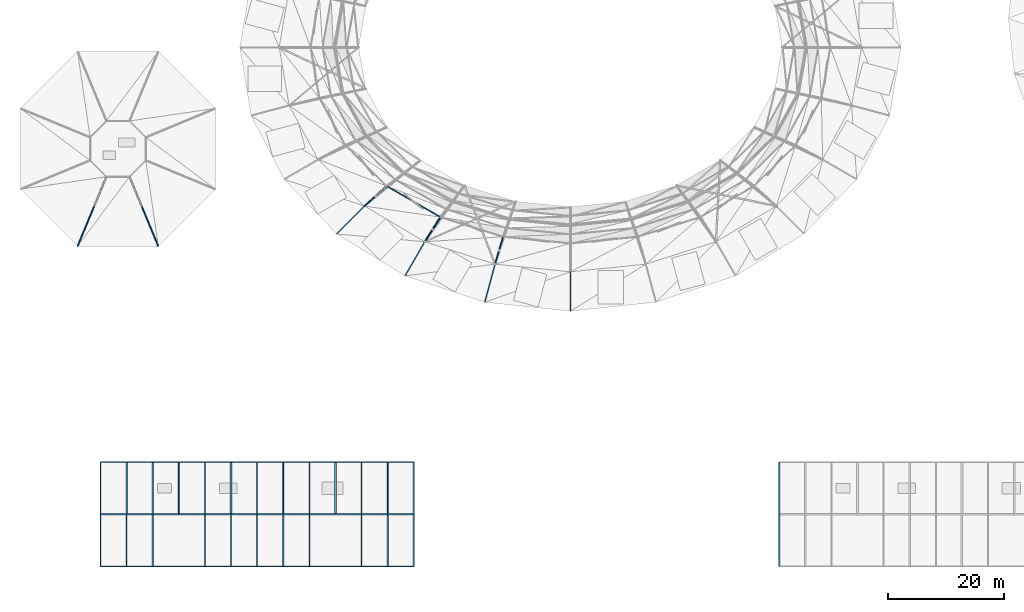
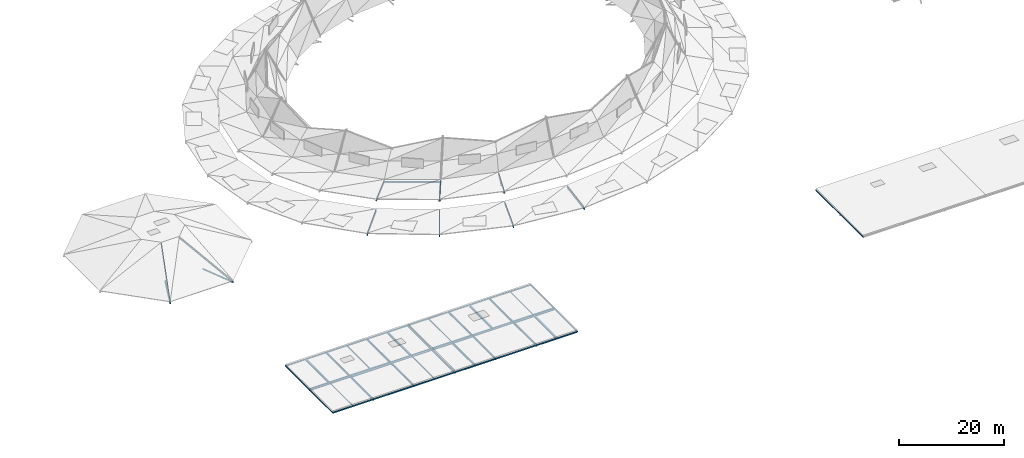
# One storey, part 1 of 36: 50 beams, 8 members.
"""IFC4 building model written with IfcOpenShell, lengths in metres."""

import ifcopenshell
import ifcopenshell.guid

model = None  # the IFC model being written
_history = None  # IfcOwnerHistory: only IFC2X3 demands one
_inside = {}  # id of a spatial element -> (the spatial element, [elements in it])
_under = {}  # id of a project, library or spatial element -> (it, [spatial elements below it])
_declared = {}  # id of a project -> (the project, [libraries it declares])
_typed = {}  # id of a type object -> (the type object, [elements of that type])
_made_of = {}  # id of a material, layer set ... -> (it, [elements and type objects made of it])


def new_model(schema):
    """Start an empty IFC model of exactly this schema.

    Asked for "IFC4X3", IfcOpenShell would pick the latest addendum, in which some entities
    have other attributes; the version numbers below select the first issue.
    IFC2X3 requires an IfcOwnerHistory on every rooted entity: one is made here for all.
    """
    global model, _history
    if schema == "IFC4X3":
        model = ifcopenshell.file(schema_version=(4, 3, 0, 0))
    else:
        model = ifcopenshell.file(schema=schema)
    _inside.clear()
    _under.clear()
    _declared.clear()
    _typed.clear()
    _made_of.clear()
    _history = None
    if model.schema == "IFC2X3":
        org = make("IfcOrganization", Name="unknown")
        user = make(
            "IfcPersonAndOrganization",
            ThePerson=make("IfcPerson", FamilyName="unknown"),
            TheOrganization=org,
        )
        app = make(
            "IfcApplication",
            ApplicationDeveloper=org,
            Version="unknown",
            ApplicationFullName="unknown",
            ApplicationIdentifier="unknown",
        )
        _history = make(
            "IfcOwnerHistory",
            OwningUser=user,
            OwningApplication=app,
            ChangeAction="ADDED",
            CreationDate=0,
        )
    return model


def make(cls, **values):
    """One entity of the class cls with the attributes given. An attribute that is None is left unset."""
    return model.create_entity(
        cls, **{name: value for name, value in values.items() if value is not None}
    )


def rooted(cls, **values):
    """An entity with a GlobalId (a new one), such as an element, a storey or a relation."""
    return make(cls, GlobalId=ifcopenshell.guid.new(), OwnerHistory=_history, **values)


def si_unit(unit_type, name, prefix=None):
    """IfcSIUnit, for example si_unit("LENGTHUNIT", "METRE", prefix="MILLI")."""
    return make("IfcSIUnit", UnitType=unit_type, Prefix=prefix, Name=name)


def assignment(units):
    """IfcUnitAssignment: the units of a project."""
    return None if units is None else make("IfcUnitAssignment", Units=units)


def point(xyz):
    """IfcCartesianPoint."""
    return None if xyz is None else make("IfcCartesianPoint", Coordinates=xyz)


def direction(xyz):
    """IfcDirection."""
    return None if xyz is None else make("IfcDirection", DirectionRatios=xyz)


def frame(location, z_axis=None, x_axis=None):
    """IfcAxis2Placement3D, a coordinate frame: its origin and axes. An axis left out is left unset."""
    return make(
        "IfcAxis2Placement3D",
        Location=point(location),
        Axis=direction(z_axis),
        RefDirection=direction(x_axis),
    )


def frame_2d(location, x_axis=None):
    """IfcAxis2Placement2D, a coordinate frame in the plane: its origin and x axis."""
    return make(
        "IfcAxis2Placement2D", Location=point(location), RefDirection=direction(x_axis)
    )


def origin():
    """The frame at (0, 0, 0) with its axes left unset."""
    return frame((0.0, 0.0, 0.0))


def origin_2d():
    """The frame at (0, 0) in the plane with its x axis left unset."""
    return frame_2d((0.0, 0.0))


def place(relative_to, where):
    """IfcLocalPlacement: puts the frame where relative to a parent placement (None: the world)."""
    return make(
        "IfcLocalPlacement", PlacementRelTo=relative_to, RelativePlacement=where
    )


def context(
    kind, dimensions, precision=None, world=None, true_north=None, identifier=None
):
    """IfcGeometricRepresentationContext, for example the 3D "Model" context."""
    return make(
        "IfcGeometricRepresentationContext",
        ContextIdentifier=identifier,
        ContextType=kind,
        CoordinateSpaceDimension=dimensions,
        Precision=precision,
        WorldCoordinateSystem=world,
        TrueNorth=true_north,
    )


def subcontext(parent, identifier, kind, view, scale=None):
    """IfcGeometricRepresentationSubContext, for example "Body" below "Model"."""
    return make(
        "IfcGeometricRepresentationSubContext",
        ContextIdentifier=identifier,
        ContextType=kind,
        ParentContext=parent,
        TargetScale=scale,
        TargetView=view,
    )


def project(units=None, contexts=None):
    """IfcProject with its units and contexts."""
    return rooted(
        "IfcProject",
        Name="project",
        RepresentationContexts=contexts,
        UnitsInContext=assignment(units),
    )


def spatial(cls, under=None, at=None, **own):
    """A site, building, storey or space (cls), placed at a placement, below another one or the project."""
    s = rooted(cls, ObjectPlacement=at, **own)
    if under is not None:
        _under.setdefault(under.id(), (under, []))[1].append(s)
    return s


def profile(cls, at=None, kind="AREA", **sizes):
    """A parametric profile (cls). Its sizes go by their IFC names, for example OverallWidth=200.0."""
    return make(cls, ProfileType=kind, Position=at, **sizes)


def hollow_rectangle(**sizes):
    """IfcRectangleHollowProfileDef."""
    return profile("IfcRectangleHollowProfileDef", **sizes)


def hollow_circle(**sizes):
    """IfcCircleHollowProfileDef."""
    return profile("IfcCircleHollowProfileDef", **sizes)


def i_section(**sizes):
    """IfcIShapeProfileDef."""
    return profile("IfcIShapeProfileDef", **sizes)


def extrude(swept, where, along, depth):
    """IfcExtrudedAreaSolid: the profile swept, set in the frame where, extruded along a direction by depth."""
    return make(
        "IfcExtrudedAreaSolid",
        SweptArea=swept,
        Position=where,
        ExtrudedDirection=direction(along),
        Depth=depth,
    )


def shape(context_of_items, identifier, shape_type, items):
    """IfcShapeRepresentation: the items that make up one representation, for example the "Body"."""
    return make(
        "IfcShapeRepresentation",
        ContextOfItems=context_of_items,
        RepresentationIdentifier=identifier,
        RepresentationType=shape_type,
        Items=items,
    )


def material(Name=None, Category=None):
    """IfcMaterial."""
    return make("IfcMaterial", Name=Name, Category=Category)


def material_profile(
    of_material, cross_section, Name=None, Category=None, Priority=None
):
    """IfcMaterialProfile: a cross section and its material."""
    return make(
        "IfcMaterialProfile",
        Name=Name,
        Material=of_material,
        Profile=cross_section,
        Priority=Priority,
        Category=Category,
    )


def profile_set(profiles, Name=None, composite=None):
    """IfcMaterialProfileSet."""
    return make(
        "IfcMaterialProfileSet",
        Name=Name,
        MaterialProfiles=profiles,
        CompositeProfile=composite,
    )


def made_of(thing, what):
    """Note that an element or type object is made of a material, layer set ...; save() writes the relation."""
    if what is not None:
        _made_of.setdefault(what.id(), (what, []))[1].append(thing)
    return thing


def type_object(cls, material=None, **own):
    """A type object (cls), such as IfcWallType, which elements share."""
    return made_of(rooted(cls, **own), material)


def element(
    cls,
    number,
    at=None,
    inside=None,
    cuts=None,
    type_object=None,
    material=None,
    context=None,
    identifier="Body",
    shape_type=None,
    held_by="IfcProductDefinitionShape",
    body=None,
    shapes=None,
    **own,
):
    """One element of the class cls, such as IfcWall. Its Tag is "e" and its number.

    at: its placement. inside: the storey or other place that contains it. cuts: it is an
    opening in that element (IfcRelVoidsElement). A single representation is given by context,
    identifier, shape_type and body (its items); several are given by shapes. held_by: the class
    of the entity that holds the representations. save() writes the other relations.
    """
    e = rooted(cls, Tag="e%d" % number, ObjectPlacement=at, **own)
    if body is not None:
        shapes = [shape(context, identifier, shape_type, body)]
    if shapes is not None:
        e.Representation = make(held_by, Representations=shapes)
    if inside is not None:
        _inside.setdefault(inside.id(), (inside, []))[1].append(e)
    if cuts is not None:
        rooted(
            "IfcRelVoidsElement", RelatingBuildingElement=cuts, RelatedOpeningElement=e
        )
    if type_object is not None:
        _typed.setdefault(type_object.id(), (type_object, []))[1].append(e)
    return made_of(e, material)


def aggregate(whole, parts):
    """IfcRelAggregates: a whole, such as a stair, and the parts it consists of."""
    return rooted("IfcRelAggregates", RelatingObject=whole, RelatedObjects=parts)


def save(model, path):
    """Write the relations noted so far, then the file.

    IfcRelAggregates (storeys below a building ...), IfcRelContainedInSpatialStructure (elements
    in a storey), IfcRelDefinesByType, IfcRelAssociatesMaterial and IfcRelDeclares: one each for
    every whole, place, type object, material and project.
    """
    for whole, parts in _under.values():
        aggregate(whole, parts)
    for where, things in _inside.values():
        rooted(
            "IfcRelContainedInSpatialStructure",
            RelatedElements=things,
            RelatingStructure=where,
        )
    for kind, things in _typed.values():
        rooted("IfcRelDefinesByType", RelatedObjects=things, RelatingType=kind)
    for what, things in _made_of.values():
        rooted("IfcRelAssociatesMaterial", RelatedObjects=things, RelatingMaterial=what)
    for by, libraries in _declared.values():
        rooted("IfcRelDeclares", RelatingContext=by, RelatedDefinitions=libraries)
    model.write(path)


model = new_model("IFC4")

# Units and contexts
model_context = context("Model", 3, precision=1e-05, world=origin(), true_north=direction((0.0, 1.0)))
body_context = subcontext(model_context, "Body", "Model", "MODEL_VIEW")
ifc_project = project(units=[si_unit("LENGTHUNIT", "METRE"), si_unit("AREAUNIT", "SQUARE_METRE"), si_unit("VOLUMEUNIT", "CUBIC_METRE"), si_unit("PLANEANGLEUNIT", "RADIAN"), si_unit("MASSUNIT", "GRAM", prefix="KILO")], contexts=[model_context])

# Site, building, storey
site_placement = place(None, origin())
site = spatial("IfcSite", under=ifc_project, at=site_placement, CompositionType="ELEMENT")
building_placement = place(site_placement, origin())
building = spatial("IfcBuilding", under=site, at=building_placement, Name="Kildeholm Park Wholesale Market", CompositionType="ELEMENT")
storey_placement = place(building_placement, frame((0.0, 0.0, 17.39990234375)))
storey = spatial("IfcBuildingStorey", under=building, at=storey_placement, Name="Roof", CompositionType="ELEMENT", Elevation=17.39990234375)

# Beams
ifc_material = material(Name="Steel S355", Category="steel")
ifc_material_profile_1 = material_profile(ifc_material, i_section(OverallWidth=0.14990234375, OverallDepth=0.300048828125, WebThickness=0.007080078125, FlangeThickness=0.0107421875, FilletRadius=0.014892578125, at=origin_2d()), Name="IPE 300")
ifc_profile_set_1 = profile_set([ifc_material_profile_1], Name="Steel S355")
beam_type_1 = type_object("IfcBeamType", Name="Beam B-C01 IPE 300", PredefinedType="BEAM", material=ifc_profile_set_1)
for number, where, z_axis, x_axis, name in (
    (1, (14.034912109375, 55.18505859375, -6.9599609375), (0.382693665462, 0.923875293758, 0.0), (-0.923875293758, 0.382693665462, 0.0), "Beam BM-V3-TIE-05 BM-0509"),
    (2, (27.965087890625, 55.18505859375, -6.9599609375), (-0.382693665462, 0.923875293758, 0.0), (-0.923875293758, -0.382693665462, 0.0), "Beam BM-V3-TIE-06 BM-0513"),
):
    element("IfcBeam", number, at=place(storey_placement, frame(where, z_axis=z_axis, x_axis=x_axis)), inside=storey, type_object=beam_type_1, Name=name, PredefinedType="BEAM", context=body_context, shape_type="SweptSolid", body=[
        extrude(i_section(OverallWidth=0.14990234375, OverallDepth=0.300048828125, WebThickness=0.007080078125, FlangeThickness=0.0107421875, FilletRadius=0.014892578125, at=origin_2d()), origin(), (0.0, 0.0, 1.0), 7.400146484375),
    ])
ifc_material_profile_2 = material_profile(ifc_material, i_section(OverallWidth=0.179931640625, OverallDepth=0.39990234375, WebThickness=0.008544921875, FlangeThickness=0.013427734375, FilletRadius=0.02099609375, at=origin_2d()), Name="IPE 400")
ifc_profile_set_2 = profile_set([ifc_material_profile_2], Name="Steel S355")
beam_type_2 = type_object("IfcBeamType", Name="Beam B-P01 IPE 400", PredefinedType="BEAM", material=ifc_profile_set_2)
beam_1_placement = place(storey_placement, frame((58.695068359375, 57.326904296875, -8.026611328125), z_axis=(0.697189304401, 0.6972247073, 0.166747657733), x_axis=(-0.707124733755, 0.707088828163, 0.0)))
element("IfcBeam", 3, at=beam_1_placement, inside=storey, type_object=beam_type_2, Name="Beam BM-V1-RF-S1-15 BM-0309", PredefinedType="BEAM", context=body_context, shape_type="SweptSolid", body=[
    extrude(i_section(OverallWidth=0.179931640625, OverallDepth=0.39990234375, WebThickness=0.008544921875, FlangeThickness=0.013427734375, FilletRadius=0.02099609375, at=origin_2d()), origin(), (0.0, 0.0, 1.0), 6.89599609375),
])
beam_2_placement = place(storey_placement, frame((70.5, 50.095947265625, -8.025390625), z_axis=(0.492978620712, 0.853915717996, 0.166733398216), x_axis=(-0.866038511948, 0.499977295307, 0.0)))
element("IfcBeam", 4, at=beam_2_placement, inside=storey, type_object=beam_type_2, Name="Beam BM-V1-RF-S1-16 BM-0315", PredefinedType="BEAM", context=body_context, shape_type="SweptSolid", body=[
    extrude(i_section(OverallWidth=0.179931640625, OverallDepth=0.39990234375, WebThickness=0.008544921875, FlangeThickness=0.013427734375, FilletRadius=0.02099609375, at=origin_2d()), origin(), (0.0, 0.0, 1.0), 6.896728515625),
])
beam_3_placement = place(storey_placement, frame((84.2470703125, 45.550048828125, -8.024658203125), z_axis=(0.255181985009, 0.952410388217, 0.166723144596), x_axis=(-0.965929783914, 0.258804274594, 0.0)))
element("IfcBeam", 5, at=beam_3_placement, inside=storey, type_object=beam_type_2, Name="Beam BM-V1-RF-S1-17 BM-0321", PredefinedType="BEAM", context=body_context, shape_type="SweptSolid", body=[
    extrude(i_section(OverallWidth=0.179931640625, OverallDepth=0.39990234375, WebThickness=0.008544921875, FlangeThickness=0.013427734375, FilletRadius=0.02099609375, at=origin_2d()), origin(), (0.0, 0.0, 1.0), 6.89697265625),
])
beam_4_placement = place(storey_placement, frame((99.0, 44.0, -8.0244140625), z_axis=(0.0, 0.98599593418, 0.16676935504), x_axis=(-1.0, 0.0, 0.0)))
element("IfcBeam", 6, at=beam_4_placement, inside=storey, type_object=beam_type_2, Name="Beam BM-V1-RF-S1-18 BM-0327", PredefinedType="BEAM", context=body_context, shape_type="SweptSolid", body=[
    extrude(i_section(OverallWidth=0.179931640625, OverallDepth=0.39990234375, WebThickness=0.008544921875, FlangeThickness=0.013427734375, FilletRadius=0.02099609375, at=origin_2d()), origin(), (0.0, 0.0, 1.0), 6.896728515625),
])
ifc_material_profile_3 = material_profile(ifc_material, i_section(OverallWidth=0.18994140625, OverallDepth=0.449951171875, WebThickness=0.009521484375, FlangeThickness=0.0146484375, FilletRadius=0.02099609375, at=origin_2d()), Name="IPE 450")
ifc_profile_set_3 = profile_set([ifc_material_profile_3], Name="Steel S355")
beam_type_3 = type_object("IfcBeamType", Name="Beam B-P02 IPE 450", PredefinedType="BEAM", material=ifc_profile_set_3)
for number, where, z_axis, x_axis, name in (
    (7, (27.0, 0.0, -0.5048828125), (0.0, 1.0, 0.0), (-1.0, 0.0, 0.0), "Beam BM-V5W-Roof-Y-027-000 BM-1488"),
    (8, (27.0, 9.0, -0.5048828125), (0.0, 1.0, 0.0), (-1.0, 0.0, 0.0), "Beam BM-V5W-Roof-Y-027-009 BM-1490"),
    (9, (36.0, 0.0, -0.5048828125), (0.0, 1.0, 0.0), (-1.0, 0.0, 0.0), "Beam BM-V5W-Roof-Y-036-000 BM-1494"),
    (10, (36.0, 9.0, -0.5048828125), (0.0, 1.0, 0.0), (-1.0, 0.0, 0.0), "Beam BM-V5W-Roof-Y-036-009 BM-1497"),
    (11, (45.0, 0.0, -0.5048828125), (0.0, 1.0, 0.0), (-1.0, 0.0, 0.0), "Beam BM-V5W-Roof-Y-045-000 BM-1501"),
    (12, (45.0, 9.0, -0.5048828125), (0.0, 1.0, 0.0), (-1.0, 0.0, 0.0), "Beam BM-V5W-Roof-Y-045-009 BM-1504"),
    (13, (54.0, 0.0, -0.5048828125), (0.0, 1.0, 0.0), (-1.0, 0.0, 0.0), "Beam BM-V5W-Roof-Y-054-000 BM-1508"),
    (14, (54.0, 9.0, -0.5048828125), (0.0, 1.0, 0.0), (-1.0, 0.0, 0.0), "Beam BM-V5W-Roof-Y-054-009 BM-1510"),
    (15, (63.0, 0.0, -0.5048828125), (0.0, 1.0, 0.0), (-1.0, 0.0, 0.0), "Beam BM-V5W-Roof-Y-063-000 BM-1514"),
    (16, (63.0, 9.0, -0.5048828125), (0.0, 1.0, 0.0), (-1.0, 0.0, 0.0), "Beam BM-V5W-Roof-Y-063-009 BM-1517"),
):
    element("IfcBeam", number, at=place(storey_placement, frame(where, z_axis=z_axis, x_axis=x_axis)), inside=storey, type_object=beam_type_3, Name=name, PredefinedType="BEAM", context=body_context, shape_type="SweptSolid", body=[
        extrude(i_section(OverallWidth=0.18994140625, OverallDepth=0.449951171875, WebThickness=0.009521484375, FlangeThickness=0.0146484375, FilletRadius=0.02099609375, at=origin_2d()), origin(), (0.0, 0.0, 1.0), 9.0),
    ])
ifc_material_profile_4 = material_profile(ifc_material, i_section(OverallWidth=0.199951171875, OverallDepth=0.5, WebThickness=0.01025390625, FlangeThickness=0.01611328125, FilletRadius=0.02099609375, at=origin_2d()), Name="IPE 500")
ifc_profile_set_4 = profile_set([ifc_material_profile_4], Name="Steel S355")
beam_type_4 = type_object("IfcBeamType", Name="Beam B-P03 IPE 500", PredefinedType="BEAM", material=ifc_profile_set_4)
beam_5_placement = place(storey_placement, frame((54.0, 9.0, -0.52978515625), z_axis=(1.0, 0.0, 0.0), x_axis=(0.0, 1.0, 0.0)))
element("IfcBeam", 17, at=beam_5_placement, inside=storey, type_object=beam_type_4, Name="Beam BM-V5W-Roof-X-054-009 BM-1509", PredefinedType="BEAM", context=body_context, shape_type="SweptSolid", body=[
    extrude(i_section(OverallWidth=0.199951171875, OverallDepth=0.5, WebThickness=0.01025390625, FlangeThickness=0.01611328125, FilletRadius=0.02099609375, at=origin_2d()), origin(), (0.0, 0.0, 1.0), 9.0),
])
ifc_material_profile_5 = material_profile(ifc_material, i_section(OverallWidth=0.2099609375, OverallDepth=0.550048828125, WebThickness=0.010986328125, FlangeThickness=0.01708984375, FilletRadius=0.02392578125, at=origin_2d()), Name="IPE 550")
ifc_profile_set_5 = profile_set([ifc_material_profile_5], Name="Steel S355")
beam_type_5 = type_object("IfcBeamType", Name="Beam B-X01 IPE 550", PredefinedType="BEAM", material=ifc_profile_set_5)
beam_6_placement = place(storey_placement, frame((36.0, 9.0, -0.554931640625), z_axis=(1.0, 0.0, 0.0), x_axis=(0.0, 1.0, 0.0)))
element("IfcBeam", 18, at=beam_6_placement, inside=storey, type_object=beam_type_5, Name="Beam BM-V5W-Roof-X-036-009 BM-1496", PredefinedType="BEAM", context=body_context, shape_type="SweptSolid", body=[
    extrude(i_section(OverallWidth=0.2099609375, OverallDepth=0.550048828125, WebThickness=0.010986328125, FlangeThickness=0.01708984375, FilletRadius=0.02392578125, at=origin_2d()), origin(), (0.0, 0.0, 1.0), 9.0),
])
ifc_material_profile_6 = material_profile(ifc_material, i_section(OverallWidth=0.300048828125, OverallDepth=0.5400390625, WebThickness=0.012451171875, FlangeThickness=0.02392578125, FilletRadius=0.027099609375, at=origin_2d()), Name="HEA 550")
ifc_profile_set_6 = profile_set([ifc_material_profile_6], Name="Steel S355")
beam_type_6 = type_object("IfcBeamType", Name="Beam B-X02 HEA 550", PredefinedType="BEAM", material=ifc_profile_set_6)
beam_7_placement = place(storey_placement, frame((45.0, 9.0, -0.5498046875), z_axis=(1.0, 0.0, 0.0), x_axis=(0.0, 1.0, 0.0)))
element("IfcBeam", 19, at=beam_7_placement, inside=storey, type_object=beam_type_6, Name="Beam BM-V5W-Roof-X-045-009 BM-1503", PredefinedType="BEAM", context=body_context, shape_type="SweptSolid", body=[
    extrude(i_section(OverallWidth=0.300048828125, OverallDepth=0.5400390625, WebThickness=0.012451171875, FlangeThickness=0.02392578125, FilletRadius=0.027099609375, at=origin_2d()), origin(), (0.0, 0.0, 1.0), 9.0),
])
ifc_material_profile_7 = material_profile(ifc_material, i_section(OverallWidth=0.300048828125, OverallDepth=0.550048828125, WebThickness=0.014892578125, FlangeThickness=0.029052734375, FilletRadius=0.027099609375, at=origin_2d()), Name="HEB 550")
ifc_profile_set_7 = profile_set([ifc_material_profile_7], Name="Steel S355")
beam_type_7 = type_object("IfcBeamType", Name="Beam B-X03 HEB 550", PredefinedType="BEAM", material=ifc_profile_set_7)
beam_8_placement = place(storey_placement, frame((63.0, 9.0, -0.554931640625), z_axis=(1.0, 0.0, 0.0), x_axis=(0.0, 1.0, 0.0)))
element("IfcBeam", 20, at=beam_8_placement, inside=storey, type_object=beam_type_7, Name="Beam BM-V5W-Roof-X-063-009 BM-1516", PredefinedType="BEAM", context=body_context, shape_type="SweptSolid", body=[
    extrude(i_section(OverallWidth=0.300048828125, OverallDepth=0.550048828125, WebThickness=0.014892578125, FlangeThickness=0.029052734375, FilletRadius=0.027099609375, at=origin_2d()), origin(), (0.0, 0.0, 1.0), 9.0),
])
ifc_material_profile_8 = material_profile(ifc_material, i_section(OverallWidth=0.300048828125, OverallDepth=0.5, WebThickness=0.014404296875, FlangeThickness=0.028076171875, FilletRadius=0.027099609375, at=origin_2d()), Name="HEB 500")
ifc_profile_set_8 = profile_set([ifc_material_profile_8], Name="Steel S355")
beam_type_8 = type_object("IfcBeamType", Name="Beam B-X05 HEB 500", PredefinedType="BEAM", material=ifc_profile_set_8)
beam_9_placement = place(storey_placement, frame((18.0, 9.0, -0.52978515625), z_axis=(1.0, 0.0, 0.0), x_axis=(0.0, 1.0, 0.0)))
element("IfcBeam", 21, at=beam_9_placement, inside=storey, type_object=beam_type_8, Name="Beam BM-V5W-Roof-X-018-009 BM-1483", PredefinedType="BEAM", context=body_context, shape_type="SweptSolid", body=[
    extrude(i_section(OverallWidth=0.300048828125, OverallDepth=0.5, WebThickness=0.014404296875, FlangeThickness=0.028076171875, FilletRadius=0.027099609375, at=origin_2d()), origin(), (0.0, 0.0, 1.0), 9.0),
])
ifc_material_profile_9 = material_profile(ifc_material, i_section(OverallWidth=0.300048828125, OverallDepth=0.60009765625, WebThickness=0.015380859375, FlangeThickness=0.030029296875, FilletRadius=0.027099609375, at=origin_2d()), Name="HEB 600")
ifc_profile_set_9 = profile_set([ifc_material_profile_9], Name="Steel S355")
beam_type_9 = type_object("IfcBeamType", Name="Beam B-X06 HEB 600", PredefinedType="BEAM", material=ifc_profile_set_9)
beam_10_placement = place(storey_placement, frame((27.0, 9.0, -0.579833984375), z_axis=(1.0, 0.0, 0.0), x_axis=(0.0, 1.0, 0.0)))
element("IfcBeam", 22, at=beam_10_placement, inside=storey, type_object=beam_type_9, Name="Beam BM-V5W-Roof-X-027-009 BM-1489", PredefinedType="BEAM", context=body_context, shape_type="SweptSolid", body=[
    extrude(i_section(OverallWidth=0.300048828125, OverallDepth=0.60009765625, WebThickness=0.015380859375, FlangeThickness=0.030029296875, FilletRadius=0.027099609375, at=origin_2d()), origin(), (0.0, 0.0, 1.0), 9.0),
])
ifc_material_profile_10 = material_profile(ifc_material, i_section(OverallWidth=0.1201171875, OverallDepth=0.239990234375, WebThickness=0.006103515625, FlangeThickness=0.009765625, FilletRadius=0.014892578125, at=origin_2d()), Name="IPE 240")
ifc_profile_set_10 = profile_set([ifc_material_profile_10], Name="Steel S355")
beam_type_10 = type_object("IfcBeamType", Name="Beam J-01 IPE 240", PredefinedType="JOIST", material=ifc_profile_set_10)
for number, where, z_axis, x_axis, name in (
    (23, (22.5, 0.0849609375, -0.39990234375), (0.0, 1.0, 0.0), (-1.0, 0.0, 0.0), "Beam JT-V5W-Roof-018-000 BM-1482"),
    (24, (31.5, 9.0849609375, -0.39990234375), (0.0, 1.0, 0.0), (-1.0, 0.0, 0.0), "Beam JT-V5W-Roof-027-009 BM-1491"),
    (25, (40.5, 0.0849609375, -0.39990234375), (0.0, 1.0, 0.0), (-1.0, 0.0, 0.0), "Beam JT-V5W-Roof-036-000 BM-1495"),
    (26, (49.5, 9.0849609375, -0.39990234375), (0.0, 1.0, 0.0), (-1.0, 0.0, 0.0), "Beam JT-V5W-Roof-045-009 BM-1505"),
    (27, (67.5, 9.0849609375, -0.39990234375), (0.0, 1.0, 0.0), (-1.0, 0.0, 0.0), "Beam JT-V5W-Roof-063-009 BM-1518"),
):
    element("IfcBeam", number, at=place(storey_placement, frame(where, z_axis=z_axis, x_axis=x_axis)), inside=storey, type_object=beam_type_10, Name=name, PredefinedType="JOIST", context=body_context, shape_type="SweptSolid", body=[
        extrude(i_section(OverallWidth=0.1201171875, OverallDepth=0.239990234375, WebThickness=0.006103515625, FlangeThickness=0.009765625, FilletRadius=0.014892578125, at=origin_2d()), origin(), (0.0, 0.0, 1.0), 8.830078125),
    ])
ifc_material_profile_11 = material_profile(ifc_material, i_section(OverallWidth=0.300048828125, OverallDepth=0.389892578125, WebThickness=0.010986328125, FlangeThickness=0.01904296875, FilletRadius=0.027099609375, at=origin_2d()), Name="HEA 400")
ifc_profile_set_11 = profile_set([ifc_material_profile_11], Name="Steel S355")
beam_type_11 = type_object("IfcBeamType", Name="Beam J-06 HEA 400", PredefinedType="JOIST", material=ifc_profile_set_11)
for number, where, z_axis, x_axis, name in (
    (28, (22.5, 9.0849609375, -0.474853515625), (0.0, 1.0, 0.0), (-1.0, 0.0, 0.0), "Beam JT-V5W-Roof-018-009 BM-1485"),
    (29, (40.5, 9.0849609375, -0.474853515625), (0.0, 1.0, 0.0), (-1.0, 0.0, 0.0), "Beam JT-V5W-Roof-036-009 BM-1498"),
    (30, (49.5, 0.0849609375, -0.474853515625), (0.0, 1.0, 0.0), (-1.0, 0.0, 0.0), "Beam JT-V5W-Roof-045-000 BM-1502"),
    (31, (58.5, 9.0849609375, -0.474853515625), (0.0, 1.0, 0.0), (-1.0, 0.0, 0.0), "Beam JT-V5W-Roof-054-009 BM-1511"),
    (32, (67.5, 0.0849609375, -0.474853515625), (0.0, 1.0, 0.0), (-1.0, 0.0, 0.0), "Beam JT-V5W-Roof-063-000 BM-1515"),
):
    element("IfcBeam", number, at=place(storey_placement, frame(where, z_axis=z_axis, x_axis=x_axis)), inside=storey, type_object=beam_type_11, Name=name, PredefinedType="JOIST", context=body_context, shape_type="SweptSolid", body=[
        extrude(i_section(OverallWidth=0.300048828125, OverallDepth=0.389892578125, WebThickness=0.010986328125, FlangeThickness=0.01904296875, FilletRadius=0.027099609375, at=origin_2d()), origin(), (0.0, 0.0, 1.0), 8.830078125),
    ])
ifc_material_profile_12 = material_profile(ifc_material, hollow_rectangle(XDim=0.199951171875, YDim=0.300048828125, WallThickness=0.012451171875, InnerFilletRadius=0.012451171875, OuterFilletRadius=0.02490234375, at=origin_2d()), Name="RHS 300x200x12.5")
ifc_profile_set_12 = profile_set([ifc_material_profile_12], Name="Steel S355")
beam_type_12 = type_object("IfcBeamType", Name="Beam SP-01 RHS 300x200x12.5", PredefinedType="SPANDREL", material=ifc_profile_set_12)
for number, where, z_axis, x_axis, name in (
    (33, (18.0, 0.0, -0.429931640625), (1.0, 0.0, 0.0), (0.0, 1.0, 0.0), "Beam BM-V5W-Roof-X-018-000 BM-1480"),
    (34, (18.0, 18.0, -0.429931640625), (1.0, 0.0, 0.0), (0.0, 1.0, 0.0), "Beam BM-V5W-Roof-X-018-018 BM-1486"),
    (35, (27.0, 0.0, -0.429931640625), (1.0, 0.0, 0.0), (0.0, 1.0, 0.0), "Beam BM-V5W-Roof-X-027-000 BM-1487"),
    (36, (27.0, 18.0, -0.429931640625), (1.0, 0.0, 0.0), (0.0, 1.0, 0.0), "Beam BM-V5W-Roof-X-027-018 BM-1492"),
    (37, (36.0, 0.0, -0.429931640625), (1.0, 0.0, 0.0), (0.0, 1.0, 0.0), "Beam BM-V5W-Roof-X-036-000 BM-1493"),
    (38, (36.0, 18.0, -0.429931640625), (1.0, 0.0, 0.0), (0.0, 1.0, 0.0), "Beam BM-V5W-Roof-X-036-018 BM-1499"),
    (39, (45.0, 0.0, -0.429931640625), (1.0, 0.0, 0.0), (0.0, 1.0, 0.0), "Beam BM-V5W-Roof-X-045-000 BM-1500"),
    (40, (45.0, 18.0, -0.429931640625), (1.0, 0.0, 0.0), (0.0, 1.0, 0.0), "Beam BM-V5W-Roof-X-045-018 BM-1506"),
    (41, (54.0, 0.0, -0.429931640625), (1.0, 0.0, 0.0), (0.0, 1.0, 0.0), "Beam BM-V5W-Roof-X-054-000 BM-1507"),
    (42, (54.0, 18.0, -0.429931640625), (1.0, 0.0, 0.0), (0.0, 1.0, 0.0), "Beam BM-V5W-Roof-X-054-018 BM-1512"),
    (43, (63.0, 0.0, -0.429931640625), (1.0, 0.0, 0.0), (0.0, 1.0, 0.0), "Beam BM-V5W-Roof-X-063-000 BM-1513"),
    (44, (63.0, 18.0, -0.429931640625), (1.0, 0.0, 0.0), (0.0, 1.0, 0.0), "Beam BM-V5W-Roof-X-063-018 BM-1519"),
):
    element("IfcBeam", number, at=place(storey_placement, frame(where, z_axis=z_axis, x_axis=x_axis)), inside=storey, type_object=beam_type_12, Name=name, PredefinedType="SPANDREL", context=body_context, shape_type="SweptSolid", body=[
        extrude(hollow_rectangle(XDim=0.199951171875, YDim=0.300048828125, WallThickness=0.012451171875, InnerFilletRadius=0.012451171875, OuterFilletRadius=0.02490234375, at=origin_2d()), origin(), (0.0, 0.0, 1.0), 9.0),
    ])
ifc_material_profile_13 = material_profile(ifc_material, hollow_rectangle(XDim=0.14990234375, YDim=0.25, WallThickness=0.010009765625, InnerFilletRadius=0.010009765625, OuterFilletRadius=0.02001953125, at=origin_2d()), Name="RHS 250x150x10")
ifc_profile_set_13 = profile_set([ifc_material_profile_13], Name="Steel S355")
beam_type_13 = type_object("IfcBeamType", Name="Beam SP-02 RHS 250x150x10", PredefinedType="SPANDREL", material=ifc_profile_set_13)
for number, where, z_axis, x_axis, name in (
    (45, (18.0, 0.0, -0.40478515625), (0.0, 1.0, 0.0), (-1.0, 0.0, 0.0), "Beam BM-V5W-Roof-Y-018-000 BM-1481"),
    (46, (18.0, 9.0, -0.40478515625), (0.0, 1.0, 0.0), (-1.0, 0.0, 0.0), "Beam BM-V5W-Roof-Y-018-009 BM-1484"),
    (47, (72.0, 0.0, -0.40478515625), (0.0, 1.0, 0.0), (-1.0, 0.0, 0.0), "Beam BM-V5W-Roof-Y-072-000 BM-1520"),
    (48, (72.0, 9.0, -0.40478515625), (0.0, 1.0, 0.0), (-1.0, 0.0, 0.0), "Beam BM-V5W-Roof-Y-072-009 BM-1521"),
    (49, (135.0, 0.0, -0.40478515625), (0.0, 1.0, 0.0), (-1.0, 0.0, 0.0), "Beam BM-V5E-Roof-Y-135-000 BM-1738"),
    (50, (135.0, 9.0, -0.40478515625), (0.0, 1.0, 0.0), (-1.0, 0.0, 0.0), "Beam BM-V5E-Roof-Y-135-009 BM-1741"),
):
    element("IfcBeam", number, at=place(storey_placement, frame(where, z_axis=z_axis, x_axis=x_axis)), inside=storey, type_object=beam_type_13, Name=name, PredefinedType="SPANDREL", context=body_context, shape_type="SweptSolid", body=[
        extrude(hollow_rectangle(XDim=0.14990234375, YDim=0.25, WallThickness=0.010009765625, InnerFilletRadius=0.010009765625, OuterFilletRadius=0.02001953125, at=origin_2d()), origin(), (0.0, 0.0, 1.0), 9.0),
    ])

# Members
ifc_material_profile_14 = material_profile(ifc_material, i_section(OverallWidth=0.1201171875, OverallDepth=0.239990234375, WebThickness=0.006103515625, FlangeThickness=0.009765625, FilletRadius=0.014892578125, at=origin_2d()), Name="IPE 240")
ifc_profile_set_14 = profile_set([ifc_material_profile_14], Name="Steel S355")
member_type_1 = type_object("IfcMemberType", Name="Member PR-02 IPE 240", PredefinedType="PURLIN", material=ifc_profile_set_14)
member_1_placement = place(storey_placement, frame((67.322021484375, 65.60009765625, -3.631591796875), z_axis=(0.865403937833, -0.501074869039, 0.0), x_axis=(0.501074869039, 0.865403937833, 0.0)))
element("IfcMember", 51, at=member_1_placement, inside=storey, type_object=member_type_1, Name="Member PR-V1-STP2-15 MEM-0201", PredefinedType="PURLIN", context=body_context, shape_type="SweptSolid", body=[
    extrude(i_section(OverallWidth=0.1201171875, OverallDepth=0.239990234375, WebThickness=0.006103515625, FlangeThickness=0.009765625, FilletRadius=0.014892578125, at=origin_2d()), origin(), (0.0, 0.0, 1.0), 10.72119140625),
])
ifc_material_profile_15 = material_profile(ifc_material, hollow_circle(Radius=0.084228515625, WallThickness=0.010009765625, at=origin_2d()), Name="CHS 168.3x10")
ifc_profile_set_15 = profile_set([ifc_material_profile_15], Name="Steel S355")
member_type_2 = type_object("IfcMemberType", Name="Member TB-01 CHS 168.3x10", PredefinedType="BRACE", material=ifc_profile_set_15)
member_2_placement = place(storey_placement, frame((75.25, 58.10595703125, -4.6298828125), z_axis=(0.481456033698, 0.756747892387, 0.442190812866), x_axis=(-0.843717440155, 0.53678755684, 0.0)))
element("IfcMember", 52, at=member_2_placement, inside=storey, type_object=member_type_2, Name="Member TR-V1-16-WB1 MEM-0210", PredefinedType="BRACE", context=body_context, shape_type="SweptSolid", body=[
    extrude(hollow_circle(Radius=0.084228515625, WallThickness=0.010009765625, at=origin_2d()), origin(), (0.0, 0.0, 1.0), 2.80419921875),
])
member_3_placement = place(storey_placement, frame((86.7060546875, 54.486083984375, -4.6298828125), z_axis=(0.253146344437, 0.856877828828, 0.449084974989), x_axis=(-0.959024430509, 0.283323387117, 0.0)))
element("IfcMember", 53, at=member_3_placement, inside=storey, type_object=member_type_2, Name="Member TR-V1-17-WB1 MEM-0225", PredefinedType="BRACE", context=body_context, shape_type="SweptSolid", body=[
    extrude(hollow_circle(Radius=0.084228515625, WallThickness=0.010009765625, at=origin_2d()), origin(), (0.0, 0.0, 1.0), 2.76123046875),
])
ifc_material_profile_16 = material_profile(ifc_material, hollow_circle(Radius=0.161865234375, WallThickness=0.01611328125, at=origin_2d()), Name="CHS 323.9x16")
ifc_profile_set_16 = profile_set([ifc_material_profile_16], Name="Steel S355")
member_type_3 = type_object("IfcMemberType", Name="Member TC-01 CHS 323.9x16", PredefinedType="CHORD", material=ifc_profile_set_16)
member_4_placement = place(storey_placement, frame((73.89990234375, 55.985107421875, -4.579833984375), z_axis=(0.522472259901, 0.820980597181, 0.230246816886), x_axis=(-0.84364749533, 0.536897479622, 0.0)))
element("IfcMember", 54, at=member_4_placement, inside=storey, type_object=member_type_3, Name="Member TR-V1-16-TC1 MEM-0205", PredefinedType="CHORD", context=body_context, shape_type="SweptSolid", body=[
    extrude(hollow_circle(Radius=0.161865234375, WallThickness=0.01611328125, at=origin_2d()), origin(), (0.0, 0.0, 1.0), 5.168212890625),
])
ifc_material_profile_17 = material_profile(ifc_material, hollow_circle(Radius=0.136474609375, WallThickness=0.01611328125, at=origin_2d()), Name="CHS 273x16")
ifc_profile_set_17 = profile_set([ifc_material_profile_17], Name="Steel S355")
member_type_4 = type_object("IfcMemberType", Name="Member TC-02 CHS 273x16", PredefinedType="CHORD", material=ifc_profile_set_17)
member_5_placement = place(storey_placement, frame((63.5029296875, 62.135009765625, -4.579833984375), z_axis=(0.721634117326, 0.654743529196, 0.224844638998), x_axis=(-0.671949035159, 0.74059739005, 0.0)))
element("IfcMember", 55, at=member_5_placement, inside=storey, type_object=member_type_4, Name="Member TR-V1-15-TC1 MEM-0193", PredefinedType="CHORD", context=body_context, shape_type="SweptSolid", body=[
    extrude(hollow_circle(Radius=0.136474609375, WallThickness=0.01611328125, at=origin_2d()), origin(), (0.0, 0.0, 1.0), 5.292236328125),
])
member_6_placement = place(storey_placement, frame((86.007080078125, 52.118896484375, -4.579833984375), z_axis=(0.275365256471, 0.932327318758, 0.23439229131), x_axis=(-0.959044282835, 0.283256180095, 0.0)))
element("IfcMember", 56, at=member_6_placement, inside=storey, type_object=member_type_4, Name="Member TR-V1-17-TC1 MEM-0220", PredefinedType="CHORD", context=body_context, shape_type="SweptSolid", body=[
    extrude(hollow_circle(Radius=0.136474609375, WallThickness=0.01611328125, at=origin_2d()), origin(), (0.0, 0.0, 1.0), 5.07666015625),
])
for number, where, z_axis, x_axis, name in (
    (57, (14.034912109375, 55.18505859375, -6.9599609375), (0.358814668112, 0.86625798543, 0.347633624131), (-0.923879961605, 0.382682396439, 0.0), "Member TR-V3-HIP-05 MEM-0342"),
    (58, (27.965087890625, 55.18505859375, -6.9599609375), (-0.358814668112, 0.86625798543, 0.347633624131), (-0.923879961605, -0.382682396439, 0.0), "Member TR-V3-HIP-06 MEM-0344"),
):
    element("IfcMember", number, at=place(storey_placement, frame(where, z_axis=z_axis, x_axis=x_axis)), inside=storey, type_object=member_type_4, Name=name, PredefinedType="CHORD", context=body_context, shape_type="SweptSolid", body=[
        extrude(hollow_circle(Radius=0.136474609375, WallThickness=0.01611328125, at=origin_2d()), origin(), (0.0, 0.0, 1.0), 13.865478515625),
    ])

save(model, "model.ifc")
